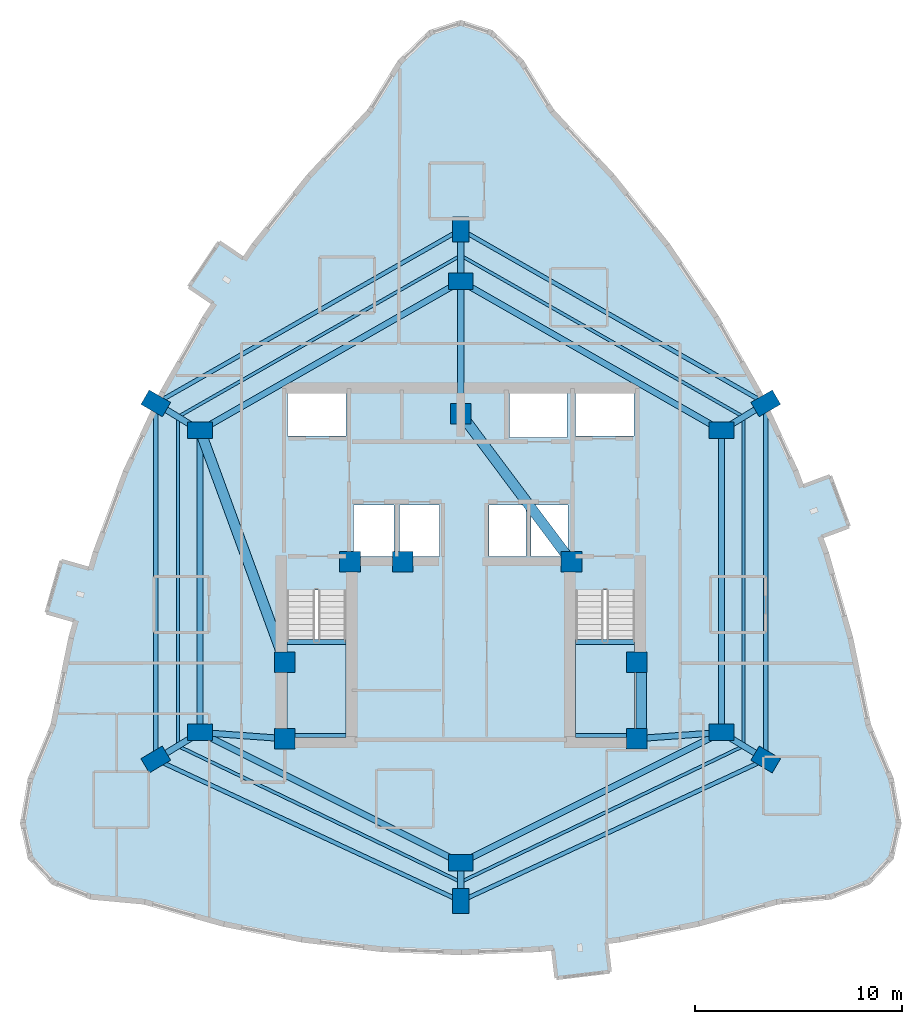
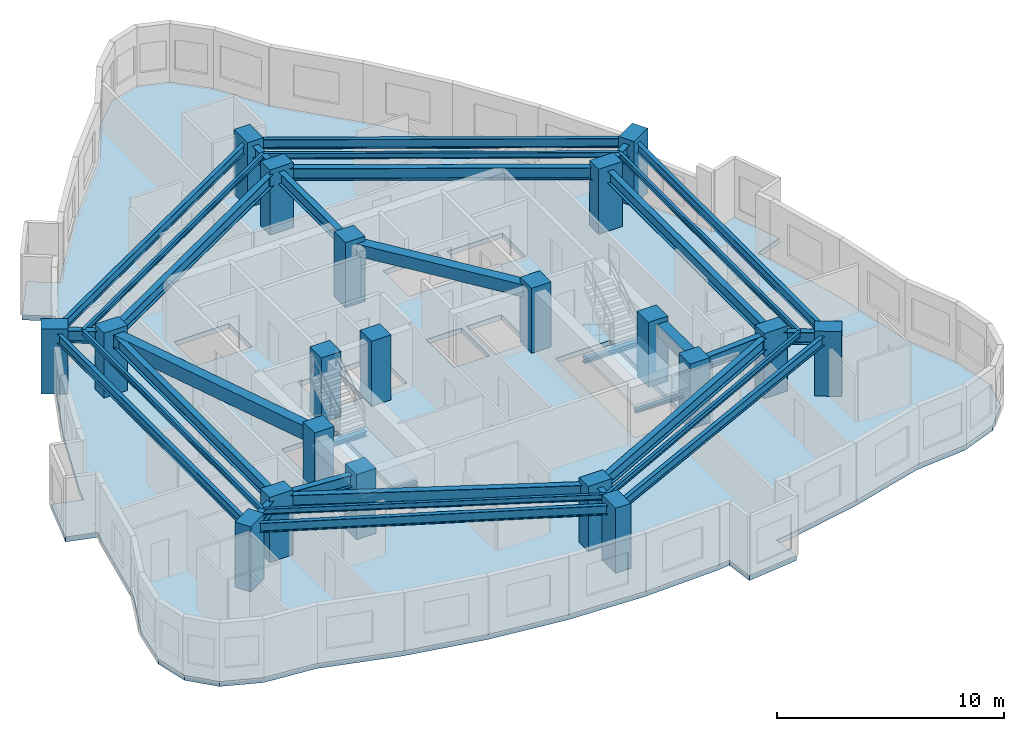
# One storey, part 1 of 9: 34 beams, 20 columns, 3 slabs, 2 elements without a shape of their own.
"""IFC4 building model written with IfcOpenShell, lengths in metres."""

from ifc_helpers import new_model, si_unit, direction, frame, origin, origin_2d, place, context, subcontext, project, spatial, polyline, rectangle, i_section, outline, extrude, material, layer, layer_set, material_profile, profile_set, type_object, element, aggregate, save


model = new_model("IFC4")

# Units and contexts
model_context = context("Model", 3, precision=1e-05, world=origin(), true_north=direction((0.0, 1.0)))
body_context = subcontext(model_context, "Body", "Model", "MODEL_VIEW")
ifc_project = project(units=[si_unit("LENGTHUNIT", "METRE"), si_unit("AREAUNIT", "SQUARE_METRE"), si_unit("VOLUMEUNIT", "CUBIC_METRE"), si_unit("PLANEANGLEUNIT", "RADIAN"), si_unit("MASSUNIT", "GRAM", prefix="KILO")], contexts=[model_context])

# Site, building, storey
site_placement = place(None, origin())
site = spatial("IfcSite", under=ifc_project, at=site_placement, CompositionType="ELEMENT")
building_placement = place(site_placement, origin())
building = spatial("IfcBuilding", under=site, at=building_placement, Name="Miruveldt Soraemaru", CompositionType="ELEMENT")
storey_placement = place(building_placement, frame((0.0, 0.0, 170.39990234375)))
storey = spatial("IfcBuildingStorey", under=building, at=storey_placement, Name="L47", CompositionType="ELEMENT", Elevation=170.39990234375)

# Columns
ifc_material_1 = material(Name="Concrete C60/75 (60 MPa)", Category="concrete")
ifc_material_profile_1 = material_profile(ifc_material_1, rectangle(XDim=1.0, YDim=1.0, at=origin_2d()), Name="Concrete C60/75 (60 MPa)", Category="concrete")
ifc_profile_set_1 = profile_set([ifc_material_profile_1], Name="Concrete C60/75 (60 MPa)")
column_type_1 = type_object("IfcColumnType", Name="COL-CORE-1000", PredefinedType="COLUMN", material=ifc_profile_set_1)
for number, where, z_axis, x_axis, name in (
    (1, (35.5, 35.5, 0.0), (0.0, 0.0, 1.0), (1.0, 0.0, 0.0), "L47 Structural Column CC1"),
    (2, (38.64990234375, 44.050048828125, 0.0), (0.0, 0.0, 1.0), (1.0, 0.0, 0.0), "L47 Structural Column CC2"),
    (3, (52.5, 35.5, 0.0), (0.0, 0.0, 1.0), (1.0, 0.0, 0.0), "L47 Structural Column CC3"),
    (4, (52.5, 39.199951171875, 0.0), (0.0, 0.0, 1.0), (1.0, 0.0, 0.0), "L47 Structural Column CC4"),
    (5, (49.35009765625, 44.050048828125, 0.0), (0.0, 0.0, 1.0), (1.0, 0.0, 0.0), "L47 Structural Column CC5"),
    (6, (44.0, 51.199951171875, 0.0), (0.0, 0.0, 1.0), (1.0, 0.0, 0.0), "L47 Structural Column CC6"),
    (7, (35.5, 39.199951171875, 0.0), (0.0, 0.0, 1.0), (1.0, 0.0, 0.0), "L47 Structural Column CC7"),
    (8, (41.199951171875, 44.050048828125, 0.0), (0.0, 0.0, 1.0), (1.0, 0.0, 0.0), "L47 Structural Column CC8"),
):
    element("IfcColumn", number, at=place(storey_placement, frame(where, z_axis=z_axis, x_axis=x_axis)), inside=storey, type_object=column_type_1, Name=name, PredefinedType="COLUMN", context=body_context, shape_type="SweptSolid", body=[
        extrude(rectangle(XDim=1.0, YDim=1.0, at=origin_2d()), origin(), (0.0, 0.0, 1.0), 3.5),
    ])
ifc_material_2 = material(Name="Concrete C70/85 (70 MPa)", Category="concrete")
ifc_material_profile_2 = material_profile(ifc_material_2, rectangle(XDim=1.199951171875, YDim=0.800048828125, at=origin_2d()), Name="Concrete C70/85 (70 MPa)", Category="concrete")
ifc_profile_set_2 = profile_set([ifc_material_profile_2], Name="Concrete C70/85 (70 MPa)")
column_type_2 = type_object("IfcColumnType", Name="COL-TW-Z2", PredefinedType="COLUMN", material=ifc_profile_set_2)
for number, where, z_axis, x_axis, name in (
    (9, (44.0, 57.60009765625, 0.0), (0.0, 0.0, 1.0), (1.0, 0.0, 0.0), "L47 Structural Column IR01"),
    (10, (56.60009765625, 50.39990234375, 0.0), (0.0, 0.0, 1.0), (1.0, 0.0, 0.0), "L47 Structural Column IR02"),
    (11, (56.60009765625, 35.800048828125, 0.0), (0.0, 0.0, 1.0), (1.0, 0.0, 0.0), "L47 Structural Column IR03"),
    (12, (44.0, 29.5, 0.0), (0.0, 0.0, 1.0), (1.0, 0.0, 0.0), "L47 Structural Column IR04"),
    (13, (31.39990234375, 35.800048828125, 0.0), (0.0, 0.0, 1.0), (1.0, 0.0, 0.0), "L47 Structural Column IR05"),
    (14, (31.39990234375, 50.39990234375, 0.0), (0.0, 0.0, 1.0), (1.0, 0.0, 0.0), "L47 Structural Column IR06"),
    (15, (44.0, 60.10595703125, 0.0), (0.0, 0.0, 1.0), (0.0, 1.0, 0.0), "L47 Structural Column Z2P01"),
    (16, (58.739990234375, 51.705078125, 0.0), (0.0, 0.0, 1.0), (0.866025403784, 0.5, 0.0), "L47 Structural Column Z2P02"),
    (17, (58.739990234375, 34.4951171875, 0.0), (0.0, 0.0, 1.0), (-0.860742027004, 0.50904141575, 0.0), "L47 Structural Column Z2P03"),
    (18, (44.0, 27.64697265625, 0.0), (0.0, 0.0, 1.0), (0.0, 1.0, 0.0), "L47 Structural Column Z2P04"),
    (19, (29.260009765625, 34.4951171875, 0.0), (0.0, 0.0, 1.0), (0.860742027004, 0.50904141575, 0.0), "L47 Structural Column Z2P05"),
    (20, (29.260009765625, 51.705078125, 0.0), (0.0, 0.0, 1.0), (-0.866025403784, 0.5, 0.0), "L47 Structural Column Z2P06"),
):
    element("IfcColumn", number, at=place(storey_placement, frame(where, z_axis=z_axis, x_axis=x_axis)), inside=storey, type_object=column_type_2, Name=name, PredefinedType="COLUMN", context=body_context, shape_type="SweptSolid", body=[
        extrude(rectangle(XDim=1.199951171875, YDim=0.800048828125, at=origin_2d()), origin(), (0.0, 0.0, 1.0), 3.5),
    ])

# Beams
ifc_material_3 = material(Name="Concrete C50/60 (50 MPa)", Category="concrete")
ifc_material_profile_3 = material_profile(ifc_material_3, rectangle(XDim=0.5, YDim=0.64990234375, at=origin_2d()), Name="Concrete C50/60 (50 MPa)", Category="concrete")
ifc_profile_set_3 = profile_set([ifc_material_profile_3], Name="Concrete C50/60 (50 MPa)")
beam_type_1 = type_object("IfcBeamType", Name="BM-RC-500x650", PredefinedType="BEAM", material=ifc_profile_set_3)
beam_1_placement = place(storey_placement, frame((52.72998046875, 35.5, 2.91015625), z_axis=(0.0, 1.0, 0.0), x_axis=(-1.0, 0.0, 0.0)))
element("IfcBeam", 21, at=beam_1_placement, inside=storey, type_object=beam_type_1, Name="L47 Core Tie Beam 3", PredefinedType="BEAM", context=body_context, shape_type="SweptSolid", body=[
    extrude(rectangle(XDim=0.5, YDim=0.64990234375, at=origin_2d()), origin(), (0.0, 0.0, 1.0), 3.699951171875),
])
beam_2_placement = place(storey_placement, frame((49.35009765625, 44.050048828125, 2.91015625), z_axis=(-0.599116023999, 0.800662219533, 0.0), x_axis=(-0.800662219533, -0.599116023999, 0.0)))
element("IfcBeam", 22, at=beam_2_placement, inside=storey, type_object=beam_type_1, Name="L47 Core Tie Beam 5", PredefinedType="BEAM", context=body_context, shape_type="SweptSolid", body=[
    extrude(rectangle(XDim=0.5, YDim=0.64990234375, at=origin_2d()), origin(), (0.0, 0.0, 1.0), 8.929931640625),
])
ifc_material_4 = material(Name="Concrete C40/50 (40 MPa)", Category="concrete")
ifc_material_profile_4 = material_profile(ifc_material_4, rectangle(XDim=0.5, YDim=0.75, at=origin_2d()), Name="Concrete C40/50 (40 MPa)", Category="concrete")
ifc_profile_set_4 = profile_set([ifc_material_profile_4], Name="Concrete C40/50 (40 MPa)")
beam_type_2 = type_object("IfcBeamType", Name="BM-RC-500x750", PredefinedType="LINTEL", material=ifc_profile_set_4)
beam_3_placement = place(storey_placement, frame((31.39990234375, 50.39990234375, 2.860107421875), z_axis=(0.343770424598, -0.939053723262, 0.0), x_axis=(0.939053723262, 0.343770424598, 0.0)))
element("IfcBeam", 23, at=beam_3_placement, inside=storey, type_object=beam_type_2, Name="L47 West Lobby Lintel", PredefinedType="LINTEL", context=body_context, shape_type="SweptSolid", body=[
    extrude(rectangle(XDim=0.5, YDim=0.75, at=origin_2d()), origin(), (0.0, 0.0, 1.0), 11.9267578125),
])
ifc_material_5 = material(Name="Steel SM355 (355 MPa)", Category="steel")
ifc_material_profile_5 = material_profile(ifc_material_5, i_section(OverallWidth=0.14990234375, OverallDepth=0.300048828125, WebThickness=0.006591796875, FlangeThickness=0.009033203125, FilletRadius=0.012939453125, at=origin_2d()), Name="Steel SM355 (355 MPa)", Category="steel")
ifc_profile_set_5 = profile_set([ifc_material_profile_5], Name="Steel SM355 (355 MPa)")
beam_type_3 = type_object("IfcBeamType", Name="BM-ST-H300", PredefinedType="JOIST", material=ifc_profile_set_5)
beam_4_placement = place(storey_placement, frame((44.0, 58.85302734375, 3.085205078125), z_axis=(0.868539859756, -0.495619321672, 0.0), x_axis=(0.495619321672, 0.868539859756, 0.0)))
element("IfcBeam", 24, at=beam_4_placement, inside=storey, type_object=beam_type_3, Name="L47 Outer Bay Floor Joist 1", PredefinedType="JOIST", context=body_context, shape_type="SweptSolid", body=[
    extrude(i_section(OverallWidth=0.14990234375, OverallDepth=0.300048828125, WebThickness=0.006591796875, FlangeThickness=0.009033203125, FilletRadius=0.012939453125, at=origin_2d()), origin(), (0.0, 0.0, 1.0), 15.739013671875),
])
beam_5_placement = place(storey_placement, frame((57.669921875, 51.052490234375, 3.085205078125), z_axis=(0.0, -1.0, 0.0), x_axis=(1.0, 0.0, 0.0)))
element("IfcBeam", 25, at=beam_5_placement, inside=storey, type_object=beam_type_3, Name="L47 Outer Bay Floor Joist 2", PredefinedType="JOIST", context=body_context, shape_type="SweptSolid", body=[
    extrude(i_section(OverallWidth=0.14990234375, OverallDepth=0.300048828125, WebThickness=0.006591796875, FlangeThickness=0.009033203125, FilletRadius=0.012939453125, at=origin_2d()), origin(), (0.0, 0.0, 1.0), 15.905029296875),
])
for number, where, z_axis, x_axis, name in (
    (26, (57.669921875, 35.1474609375, 3.085205078125), (-0.901203586802, -0.433396002676, 0.0), (0.433396002676, -0.901203586802, 0.0), "L47 Outer Bay Floor Joist 3"),
    (27, (44.0, 28.573486328125, 3.085205078125), (-0.901203586802, 0.433396002676, 0.0), (-0.433396002676, -0.901203586802, 0.0), "L47 Outer Bay Floor Joist 4"),
):
    element("IfcBeam", number, at=place(storey_placement, frame(where, z_axis=z_axis, x_axis=x_axis)), inside=storey, type_object=beam_type_3, Name=name, PredefinedType="JOIST", context=body_context, shape_type="SweptSolid", body=[
        extrude(i_section(OverallWidth=0.14990234375, OverallDepth=0.300048828125, WebThickness=0.006591796875, FlangeThickness=0.009033203125, FilletRadius=0.012939453125, at=origin_2d()), origin(), (0.0, 0.0, 1.0), 15.16845703125),
    ])
beam_6_placement = place(storey_placement, frame((30.330078125, 35.1474609375, 3.085205078125), z_axis=(0.0, 1.0, 0.0), x_axis=(-1.0, 0.0, 0.0)))
element("IfcBeam", 28, at=beam_6_placement, inside=storey, type_object=beam_type_3, Name="L47 Outer Bay Floor Joist 5", PredefinedType="JOIST", context=body_context, shape_type="SweptSolid", body=[
    extrude(i_section(OverallWidth=0.14990234375, OverallDepth=0.300048828125, WebThickness=0.006591796875, FlangeThickness=0.009033203125, FilletRadius=0.012939453125, at=origin_2d()), origin(), (0.0, 0.0, 1.0), 15.905029296875),
])
beam_7_placement = place(storey_placement, frame((30.330078125, 51.052490234375, 3.085205078125), z_axis=(0.868539859756, 0.495619321672, 0.0), x_axis=(-0.495619321672, 0.868539859756, 0.0)))
element("IfcBeam", 29, at=beam_7_placement, inside=storey, type_object=beam_type_3, Name="L47 Outer Bay Floor Joist 6", PredefinedType="JOIST", context=body_context, shape_type="SweptSolid", body=[
    extrude(i_section(OverallWidth=0.14990234375, OverallDepth=0.300048828125, WebThickness=0.006591796875, FlangeThickness=0.009033203125, FilletRadius=0.012939453125, at=origin_2d()), origin(), (0.0, 0.0, 1.0), 15.739013671875),
])
ifc_material_profile_6 = material_profile(ifc_material_5, i_section(OverallWidth=0.199951171875, OverallDepth=0.5, WebThickness=0.010009765625, FlangeThickness=0.01611328125, FilletRadius=0.02001953125, at=origin_2d()), Name="Steel SM355 (355 MPa)", Category="steel")
ifc_profile_set_6 = profile_set([ifc_material_profile_6], Name="Steel SM355 (355 MPa)")
beam_type_4 = type_object("IfcBeamType", Name="BM-ST-H500", PredefinedType="SPANDREL", material=ifc_profile_set_6)
beam_8_placement = place(storey_placement, frame((44.0, 60.10595703125, 2.985107421875), z_axis=(0.86880048516, -0.495162313778, 0.0), x_axis=(0.495162313778, 0.86880048516, 0.0)))
element("IfcBeam", 30, at=beam_8_placement, inside=storey, type_object=beam_type_4, Name="L47 Zone-2 Spandrel Beam 1", PredefinedType="SPANDREL", context=body_context, shape_type="SweptSolid", body=[
    extrude(i_section(OverallWidth=0.199951171875, OverallDepth=0.5, WebThickness=0.010009765625, FlangeThickness=0.01611328125, FilletRadius=0.02001953125, at=origin_2d()), origin(), (0.0, 0.0, 1.0), 16.9658203125),
])
beam_9_placement = place(storey_placement, frame((58.739990234375, 51.705078125, 2.985107421875), z_axis=(0.0, -1.0, 0.0), x_axis=(1.0, 0.0, 0.0)))
element("IfcBeam", 31, at=beam_9_placement, inside=storey, type_object=beam_type_4, Name="L47 Zone-2 Spandrel Beam 2", PredefinedType="SPANDREL", context=body_context, shape_type="SweptSolid", body=[
    extrude(i_section(OverallWidth=0.199951171875, OverallDepth=0.5, WebThickness=0.010009765625, FlangeThickness=0.01611328125, FilletRadius=0.02001953125, at=origin_2d()), origin(), (0.0, 0.0, 1.0), 17.2099609375),
])
for number, where, z_axis, x_axis, name in (
    (32, (58.739990234375, 34.4951171875, 2.985107421875), (-0.906901362829, -0.421342993414, 0.0), (0.421342993414, -0.906901362829, 0.0), "L47 Zone-2 Spandrel Beam 3"),
    (33, (44.0, 27.64697265625, 2.985107421875), (-0.906901362829, 0.421342993414, 0.0), (-0.421342993414, -0.906901362829, 0.0), "L47 Zone-2 Spandrel Beam 4"),
):
    element("IfcBeam", number, at=place(storey_placement, frame(where, z_axis=z_axis, x_axis=x_axis)), inside=storey, type_object=beam_type_4, Name=name, PredefinedType="SPANDREL", context=body_context, shape_type="SweptSolid", body=[
        extrude(i_section(OverallWidth=0.199951171875, OverallDepth=0.5, WebThickness=0.010009765625, FlangeThickness=0.01611328125, FilletRadius=0.02001953125, at=origin_2d()), origin(), (0.0, 0.0, 1.0), 16.253173828125),
    ])
beam_10_placement = place(storey_placement, frame((29.260009765625, 34.4951171875, 2.985107421875), z_axis=(0.0, 1.0, 0.0), x_axis=(-1.0, 0.0, 0.0)))
element("IfcBeam", 34, at=beam_10_placement, inside=storey, type_object=beam_type_4, Name="L47 Zone-2 Spandrel Beam 5", PredefinedType="SPANDREL", context=body_context, shape_type="SweptSolid", body=[
    extrude(i_section(OverallWidth=0.199951171875, OverallDepth=0.5, WebThickness=0.010009765625, FlangeThickness=0.01611328125, FilletRadius=0.02001953125, at=origin_2d()), origin(), (0.0, 0.0, 1.0), 17.2099609375),
])
beam_11_placement = place(storey_placement, frame((29.260009765625, 51.705078125, 2.985107421875), z_axis=(0.86880048516, 0.495162313778, 0.0), x_axis=(-0.495162313778, 0.86880048516, 0.0)))
element("IfcBeam", 35, at=beam_11_placement, inside=storey, type_object=beam_type_4, Name="L47 Zone-2 Spandrel Beam 6", PredefinedType="SPANDREL", context=body_context, shape_type="SweptSolid", body=[
    extrude(i_section(OverallWidth=0.199951171875, OverallDepth=0.5, WebThickness=0.010009765625, FlangeThickness=0.01611328125, FilletRadius=0.02001953125, at=origin_2d()), origin(), (0.0, 0.0, 1.0), 16.9658203125),
])
ifc_material_profile_7 = material_profile(ifc_material_5, i_section(OverallWidth=0.300048828125, OverallDepth=0.64990234375, WebThickness=0.012939453125, FlangeThickness=0.02197265625, FilletRadius=0.02587890625, at=origin_2d()), Name="Steel SM355 (355 MPa)", Category="steel")
ifc_profile_set_7 = profile_set([ifc_material_profile_7], Name="Steel SM355 (355 MPa)")
beam_type_5 = type_object("IfcBeamType", Name="BM-ST-H650", PredefinedType="BEAM", material=ifc_profile_set_7)
beam_12_placement = place(storey_placement, frame((44.0, 57.60009765625, 2.91015625), z_axis=(0.868239001029, -0.496146185203, 0.0), x_axis=(0.496146185203, 0.868239001029, 0.0)))
element("IfcBeam", 36, at=beam_12_placement, inside=storey, type_object=beam_type_5, Name="L47 Inner Ring Girder 1", PredefinedType="BEAM", context=body_context, shape_type="SweptSolid", body=[
    extrude(i_section(OverallWidth=0.300048828125, OverallDepth=0.64990234375, WebThickness=0.012939453125, FlangeThickness=0.02197265625, FilletRadius=0.02587890625, at=origin_2d()), origin(), (0.0, 0.0, 1.0), 14.51220703125),
])
beam_13_placement = place(storey_placement, frame((44.0, 51.199951171875, 2.91015625), z_axis=(0.0, 1.0, 0.0), x_axis=(-1.0, 0.0, 0.0)))
element("IfcBeam", 37, at=beam_13_placement, inside=storey, type_object=beam_type_5, Name="L47 Core-to-Inner Radial Girder 1", PredefinedType="BEAM", context=body_context, shape_type="SweptSolid", body=[
    extrude(i_section(OverallWidth=0.300048828125, OverallDepth=0.64990234375, WebThickness=0.012939453125, FlangeThickness=0.02197265625, FilletRadius=0.02587890625, at=origin_2d()), origin(), (0.0, 0.0, 1.0), 6.400146484375),
])
beam_14_placement = place(storey_placement, frame((56.60009765625, 50.39990234375, 2.91015625), z_axis=(0.0, -1.0, 0.0), x_axis=(1.0, 0.0, 0.0)))
element("IfcBeam", 38, at=beam_14_placement, inside=storey, type_object=beam_type_5, Name="L47 Inner Ring Girder 2", PredefinedType="BEAM", context=body_context, shape_type="SweptSolid", body=[
    extrude(i_section(OverallWidth=0.300048828125, OverallDepth=0.64990234375, WebThickness=0.012939453125, FlangeThickness=0.02197265625, FilletRadius=0.02587890625, at=origin_2d()), origin(), (0.0, 0.0, 1.0), 14.599853515625),
])
beam_15_placement = place(storey_placement, frame((56.60009765625, 35.800048828125, 2.91015625), z_axis=(-0.894427191, -0.4472135955, 0.0), x_axis=(0.4472135955, -0.894427191, 0.0)))
element("IfcBeam", 39, at=beam_15_placement, inside=storey, type_object=beam_type_5, Name="L47 Inner Ring Girder 3", PredefinedType="BEAM", context=body_context, shape_type="SweptSolid", body=[
    extrude(i_section(OverallWidth=0.300048828125, OverallDepth=0.64990234375, WebThickness=0.012939453125, FlangeThickness=0.02197265625, FilletRadius=0.02587890625, at=origin_2d()), origin(), (0.0, 0.0, 1.0), 14.08740234375),
])
beam_16_placement = place(storey_placement, frame((52.5, 35.5, 2.91015625), z_axis=(0.997332985605, 0.072985723431, 0.0), x_axis=(-0.072985723431, 0.997332985605, 0.0)))
element("IfcBeam", 40, at=beam_16_placement, inside=storey, type_object=beam_type_5, Name="L47 Core-to-Inner Radial Girder 3", PredefinedType="BEAM", context=body_context, shape_type="SweptSolid", body=[
    extrude(i_section(OverallWidth=0.300048828125, OverallDepth=0.64990234375, WebThickness=0.012939453125, FlangeThickness=0.02197265625, FilletRadius=0.02587890625, at=origin_2d()), origin(), (0.0, 0.0, 1.0), 4.111083984375),
])
beam_17_placement = place(storey_placement, frame((44.0, 29.5, 2.91015625), z_axis=(-0.894427191, 0.4472135955, 0.0), x_axis=(-0.4472135955, -0.894427191, 0.0)))
element("IfcBeam", 41, at=beam_17_placement, inside=storey, type_object=beam_type_5, Name="L47 Inner Ring Girder 4", PredefinedType="BEAM", context=body_context, shape_type="SweptSolid", body=[
    extrude(i_section(OverallWidth=0.300048828125, OverallDepth=0.64990234375, WebThickness=0.012939453125, FlangeThickness=0.02197265625, FilletRadius=0.02587890625, at=origin_2d()), origin(), (0.0, 0.0, 1.0), 14.08740234375),
])
beam_18_placement = place(storey_placement, frame((31.39990234375, 35.800048828125, 2.91015625), z_axis=(0.0, 1.0, 0.0), x_axis=(-1.0, 0.0, 0.0)))
element("IfcBeam", 42, at=beam_18_placement, inside=storey, type_object=beam_type_5, Name="L47 Inner Ring Girder 5", PredefinedType="BEAM", context=body_context, shape_type="SweptSolid", body=[
    extrude(i_section(OverallWidth=0.300048828125, OverallDepth=0.64990234375, WebThickness=0.012939453125, FlangeThickness=0.02197265625, FilletRadius=0.02587890625, at=origin_2d()), origin(), (0.0, 0.0, 1.0), 14.599853515625),
])
beam_19_placement = place(storey_placement, frame((35.5, 35.5, 2.91015625), z_axis=(-0.997332985605, 0.072985723431, 0.0), x_axis=(-0.072985723431, -0.997332985605, 0.0)))
element("IfcBeam", 43, at=beam_19_placement, inside=storey, type_object=beam_type_5, Name="L47 Core-to-Inner Radial Girder 5", PredefinedType="BEAM", context=body_context, shape_type="SweptSolid", body=[
    extrude(i_section(OverallWidth=0.300048828125, OverallDepth=0.64990234375, WebThickness=0.012939453125, FlangeThickness=0.02197265625, FilletRadius=0.02587890625, at=origin_2d()), origin(), (0.0, 0.0, 1.0), 4.111083984375),
])
beam_20_placement = place(storey_placement, frame((31.39990234375, 50.39990234375, 2.91015625), z_axis=(0.868239001029, 0.496146185203, 0.0), x_axis=(-0.496146185203, 0.868239001029, 0.0)))
element("IfcBeam", 44, at=beam_20_placement, inside=storey, type_object=beam_type_5, Name="L47 Inner Ring Girder 6", PredefinedType="BEAM", context=body_context, shape_type="SweptSolid", body=[
    extrude(i_section(OverallWidth=0.300048828125, OverallDepth=0.64990234375, WebThickness=0.012939453125, FlangeThickness=0.02197265625, FilletRadius=0.02587890625, at=origin_2d()), origin(), (0.0, 0.0, 1.0), 14.51220703125),
])
beam_21_placement = place(storey_placement, frame((44.0, 57.60009765625, 2.91015625), z_axis=(0.0, 1.0, 0.0), x_axis=(-1.0, 0.0, 0.0)))
element("IfcBeam", 45, at=beam_21_placement, inside=storey, type_object=beam_type_5, Name="L47 Zone-2 Radial Girder 1", PredefinedType="BEAM", context=body_context, shape_type="SweptSolid", body=[
    extrude(i_section(OverallWidth=0.300048828125, OverallDepth=0.64990234375, WebThickness=0.012939453125, FlangeThickness=0.02197265625, FilletRadius=0.02587890625, at=origin_2d()), origin(), (0.0, 0.0, 1.0), 2.505859375),
])
beam_22_placement = place(storey_placement, frame((56.60009765625, 50.39990234375, 2.91015625), z_axis=(0.85373175529, 0.520713059188, 0.0), x_axis=(-0.520713059188, 0.85373175529, 0.0)))
element("IfcBeam", 46, at=beam_22_placement, inside=storey, type_object=beam_type_5, Name="L47 Zone-2 Radial Girder 2", PredefinedType="BEAM", context=body_context, shape_type="SweptSolid", body=[
    extrude(i_section(OverallWidth=0.300048828125, OverallDepth=0.64990234375, WebThickness=0.012939453125, FlangeThickness=0.02197265625, FilletRadius=0.02587890625, at=origin_2d()), origin(), (0.0, 0.0, 1.0), 2.506591796875),
])
beam_23_placement = place(storey_placement, frame((56.60009765625, 35.800048828125, 2.91015625), z_axis=(0.853775054686, -0.5206420613, 0.0), x_axis=(0.5206420613, 0.853775054686, 0.0)))
element("IfcBeam", 47, at=beam_23_placement, inside=storey, type_object=beam_type_5, Name="L47 Zone-2 Radial Girder 3", PredefinedType="BEAM", context=body_context, shape_type="SweptSolid", body=[
    extrude(i_section(OverallWidth=0.300048828125, OverallDepth=0.64990234375, WebThickness=0.012939453125, FlangeThickness=0.02197265625, FilletRadius=0.02587890625, at=origin_2d()), origin(), (0.0, 0.0, 1.0), 2.50634765625),
])
beam_24_placement = place(storey_placement, frame((44.0, 29.5, 2.91015625), z_axis=(0.0, -1.0, 0.0), x_axis=(1.0, 0.0, 0.0)))
element("IfcBeam", 48, at=beam_24_placement, inside=storey, type_object=beam_type_5, Name="L47 Zone-2 Radial Girder 4", PredefinedType="BEAM", context=body_context, shape_type="SweptSolid", body=[
    extrude(i_section(OverallWidth=0.300048828125, OverallDepth=0.64990234375, WebThickness=0.012939453125, FlangeThickness=0.02197265625, FilletRadius=0.02587890625, at=origin_2d()), origin(), (0.0, 0.0, 1.0), 1.85302734375),
])
beam_25_placement = place(storey_placement, frame((31.39990234375, 35.800048828125, 2.91015625), z_axis=(-0.853775054686, -0.5206420613, 0.0), x_axis=(0.5206420613, -0.853775054686, 0.0)))
element("IfcBeam", 49, at=beam_25_placement, inside=storey, type_object=beam_type_5, Name="L47 Zone-2 Radial Girder 5", PredefinedType="BEAM", context=body_context, shape_type="SweptSolid", body=[
    extrude(i_section(OverallWidth=0.300048828125, OverallDepth=0.64990234375, WebThickness=0.012939453125, FlangeThickness=0.02197265625, FilletRadius=0.02587890625, at=origin_2d()), origin(), (0.0, 0.0, 1.0), 2.50634765625),
])
beam_26_placement = place(storey_placement, frame((31.39990234375, 50.39990234375, 2.91015625), z_axis=(-0.85373175529, 0.520713059188, 0.0), x_axis=(-0.520713059188, -0.85373175529, 0.0)))
element("IfcBeam", 50, at=beam_26_placement, inside=storey, type_object=beam_type_5, Name="L47 Zone-2 Radial Girder 6", PredefinedType="BEAM", context=body_context, shape_type="SweptSolid", body=[
    extrude(i_section(OverallWidth=0.300048828125, OverallDepth=0.64990234375, WebThickness=0.012939453125, FlangeThickness=0.02197265625, FilletRadius=0.02587890625, at=origin_2d()), origin(), (0.0, 0.0, 1.0), 2.506591796875),
])
ifc_material_profile_8 = material_profile(ifc_material_5, i_section(OverallWidth=0.199951171875, OverallDepth=0.199951171875, WebThickness=0.008056640625, FlangeThickness=0.011962890625, FilletRadius=0.012939453125, at=origin_2d()), Name="Steel SM355 (355 MPa)", Category="steel")
ifc_profile_set_8 = profile_set([ifc_material_profile_8], Name="Steel SM355 (355 MPa)")
beam_type_6 = type_object("IfcBeamType", Name="BM-ST-LND200", PredefinedType="BEAM", material=ifc_profile_set_8)
for number, where, z_axis, x_axis, name in (
    (51, (35.60009765625, 35.64990234375, 1.4501953125), (1.0, 0.0, 0.0), (0.0, 1.0, 0.0), "L47 ST1 Landing End Beam 1B"),
    (52, (49.550048828125, 35.64990234375, 1.4501953125), (1.0, 0.0, 0.0), (0.0, 1.0, 0.0), "L47 ST2 Landing End Beam 1B"),
):
    element("IfcBeam", number, at=place(storey_placement, frame(where, z_axis=z_axis, x_axis=x_axis)), inside=storey, type_object=beam_type_6, Name=name, PredefinedType="BEAM", context=body_context, shape_type="SweptSolid", body=[
        extrude(i_section(OverallWidth=0.199951171875, OverallDepth=0.199951171875, WebThickness=0.008056640625, FlangeThickness=0.011962890625, FilletRadius=0.012939453125, at=origin_2d()), origin(), (0.0, 0.0, 1.0), 2.849853515625),
    ])
ifc_material_profile_9 = material_profile(ifc_material_5, i_section(OverallWidth=0.25, OverallDepth=0.25, WebThickness=0.009033203125, FlangeThickness=0.013916015625, FilletRadius=0.01611328125, at=origin_2d()), Name="Steel SM355 (355 MPa)", Category="steel")
ifc_profile_set_9 = profile_set([ifc_material_profile_9], Name="Steel SM355 (355 MPa)")
beam_type_7 = type_object("IfcBeamType", Name="BM-ST-LND250", PredefinedType="BEAM", material=ifc_profile_set_9)
for number, where, z_axis, x_axis, name in (
    (53, (35.60009765625, 40.179931640625, 1.425048828125), (1.0, 0.0, 0.0), (0.0, 1.0, 0.0), "L47 ST1 Landing Support Beam 1A"),
    (54, (49.550048828125, 40.179931640625, 1.425048828125), (1.0, 0.0, 0.0), (0.0, 1.0, 0.0), "L47 ST2 Landing Support Beam 1A"),
):
    element("IfcBeam", number, at=place(storey_placement, frame(where, z_axis=z_axis, x_axis=x_axis)), inside=storey, type_object=beam_type_7, Name=name, PredefinedType="BEAM", context=body_context, shape_type="SweptSolid", body=[
        extrude(i_section(OverallWidth=0.25, OverallDepth=0.25, WebThickness=0.009033203125, FlangeThickness=0.013916015625, FilletRadius=0.01611328125, at=origin_2d()), origin(), (0.0, 0.0, 1.0), 2.849853515625),
    ])

# Stair, slab
stair_type = type_object("IfcStairType", Name="STAIR-DL-350", PredefinedType="HALF_TURN_STAIR", material=ifc_material_4)
stair_1_placement = place(storey_placement, origin())
stair_1 = element("IfcStair", 55, at=stair_1_placement, inside=storey, type_object=stair_type, Name="L47 Protected Exit Stair ST-1", PredefinedType="HALF_TURN_STAIR")
ifc_layer_1 = layer(ifc_material_4, 0.199951171875, Name="Concrete C40/50 (40 MPa)", Category="concrete")
ifc_layer_set_1 = layer_set([ifc_layer_1], Name="Concrete C40/50 (40 MPa)")
slab_type_1 = type_object("IfcSlabType", Name="SLAB-LAND-200", PredefinedType="LANDING", material=ifc_layer_set_1)
slab_1_placement = place(storey_placement, frame((0.0, 0.0, 1.550048828125)))
slab_1 = element("IfcSlab", 56, at=slab_1_placement, type_object=slab_type_1, Name="ST-1 landing 1", PredefinedType="LANDING", context=body_context, shape_type="SweptSolid", body=[
    extrude(outline(polyline([(35.60009765625, 40.197998046875), (35.60009765625, 35.64990234375), (38.449951171875, 35.64990234375), (38.449951171875, 40.197998046875), (35.60009765625, 40.197998046875)])), origin(), (0.0, 0.0, 1.0), 0.199951171875),
])
aggregate(stair_1, [slab_1])

stair_2_placement = place(storey_placement, origin())
stair_2 = element("IfcStair", 57, at=stair_2_placement, inside=storey, type_object=stair_type, Name="L47 Protected Exit Stair ST-2", PredefinedType="HALF_TURN_STAIR")
slab_2_placement = place(storey_placement, frame((0.0, 0.0, 1.550048828125)))
slab_2 = element("IfcSlab", 58, at=slab_2_placement, type_object=slab_type_1, Name="ST-2 landing 1", PredefinedType="LANDING", context=body_context, shape_type="SweptSolid", body=[
    extrude(outline(polyline([(49.550048828125, 40.197998046875), (49.550048828125, 35.64990234375), (52.39990234375, 35.64990234375), (52.39990234375, 40.197998046875), (49.550048828125, 40.197998046875)])), origin(), (0.0, 0.0, 1.0), 0.199951171875),
])
aggregate(stair_2, [slab_2])

# Slab
ifc_layer_2 = layer(ifc_material_4, 0.264892578125, Name="Concrete C40/50 (40 MPa)", Category="concrete")
ifc_layer_set_2 = layer_set([ifc_layer_2], Name="Concrete C40/50 (40 MPa)")
slab_type_2 = type_object("IfcSlabType", Name="SLAB-RES2-265", PredefinedType="FLOOR", material=ifc_layer_set_2)
slab_3_placement = place(storey_placement, frame((0.0, 0.0, -0.264892578125)))
element("IfcSlab", 59, at=slab_3_placement, inside=storey, type_object=slab_type_2, Name="L47 Structural Floor Slab", PredefinedType="FLOOR", context=body_context, shape_type="SweptSolid", body=[
    extrude(outline(polyline([(48.62451171875, 23.930908203125), (48.447998046875, 25.400390625), (47.825927734375, 25.32568359375), (44.0, 25.172607421875), (40.174072265625, 25.32568359375), (36.348388671875, 25.78466796875), (32.5224609375, 26.5498046875), (28.696533203125, 27.62109375), (26.133056640625, 27.85791015625), (24.302001953125, 28.568359375), (23.20361328125, 29.752197265625), (22.83740234375, 31.409912109375), (23.20361328125, 33.541015625), (24.302001953125, 36.14599609375), (25.176025390625, 40.392333984375), (25.761474609375, 42.439208984375), (25.40380859375, 41.189208984375), (23.98095703125, 41.59619140625), (24.696044921875, 44.095947265625), (26.118896484375, 43.68896484375), (26.3466796875, 44.48583984375), (27.814453125, 48.42626953125), (29.578857421875, 52.213623046875), (31.64013671875, 55.84814453125), (32.8193359375, 57.588623046875), (32.090087890625, 56.512451171875), (30.864990234375, 57.342529296875), (32.3232421875, 59.4951171875), (33.54833984375, 58.6650390625), (33.99853515625, 59.329345703125), (36.653564453125, 62.65771484375), (39.605712890625, 65.8330078125), (41.0703125, 68.200927734375), (42.53515625, 69.621826171875), (44.0, 70.095458984375), (45.46484375, 69.621826171875), (46.9296875, 68.200927734375), (48.394287109375, 65.8330078125), (51.346435546875, 62.65771484375), (54.00146484375, 59.329345703125), (56.35986328125, 55.84814453125), (58.421142578125, 52.213623046875), (60.185546875, 48.42626953125), (60.91943359375, 46.4560546875), (60.4658203125, 47.67431640625), (61.8525390625, 48.19091796875), (62.760009765625, 45.75439453125), (61.373046875, 45.23779296875), (61.6533203125, 44.48583984375), (62.823974609375, 40.392333984375), (63.697998046875, 36.14599609375), (64.79638671875, 33.541015625), (65.16259765625, 31.409912109375), (64.79638671875, 29.752197265625), (63.697998046875, 28.568359375), (61.866943359375, 27.85791015625), (59.303466796875, 27.62109375), (55.4775390625, 26.5498046875), (51.651611328125, 25.78466796875), (49.73876953125, 25.55517578125), (51.029541015625, 25.7099609375), (51.205810546875, 24.240478515625), (48.62451171875, 23.930908203125)]), holes=[polyline([(35.614990234375, 35.6650390625), (38.43505859375, 35.6650390625), (38.43505859375, 42.68505859375), (35.614990234375, 42.68505859375), (35.614990234375, 35.6650390625)]), polyline([(49.56494140625, 35.6650390625), (52.385009765625, 35.6650390625), (52.385009765625, 42.68505859375), (49.56494140625, 42.68505859375), (49.56494140625, 35.6650390625)]), polyline([(40.764892578125, 44.31494140625), (40.764892578125, 46.784912109375), (38.81494140625, 46.784912109375), (38.81494140625, 44.31494140625), (40.764892578125, 44.31494140625)]), polyline([(42.965087890625, 44.31494140625), (42.965087890625, 46.784912109375), (41.034912109375, 46.784912109375), (41.034912109375, 44.31494140625), (42.965087890625, 44.31494140625)]), polyline([(47.1650390625, 44.31494140625), (47.1650390625, 46.784912109375), (45.364990234375, 46.784912109375), (45.364990234375, 44.31494140625), (47.1650390625, 44.31494140625)]), polyline([(49.18505859375, 44.31494140625), (49.18505859375, 46.784912109375), (47.39501953125, 46.784912109375), (47.39501953125, 44.31494140625), (49.18505859375, 44.31494140625)]), polyline([(38.445068359375, 50.135009765625), (38.445068359375, 52.205078125), (35.635009765625, 52.205078125), (35.635009765625, 50.135009765625), (38.445068359375, 50.135009765625)]), polyline([(49.554931640625, 50.135009765625), (52.364990234375, 50.135009765625), (52.364990234375, 52.205078125), (49.554931640625, 52.205078125), (49.554931640625, 50.135009765625)]), polyline([(46.364990234375, 50.06494140625), (49.135009765625, 50.06494140625), (49.135009765625, 52.3349609375), (46.364990234375, 52.3349609375), (46.364990234375, 50.06494140625)])]), origin(), (0.0, 0.0, 1.0), 0.264892578125),
])

save(model, "model.ifc")
